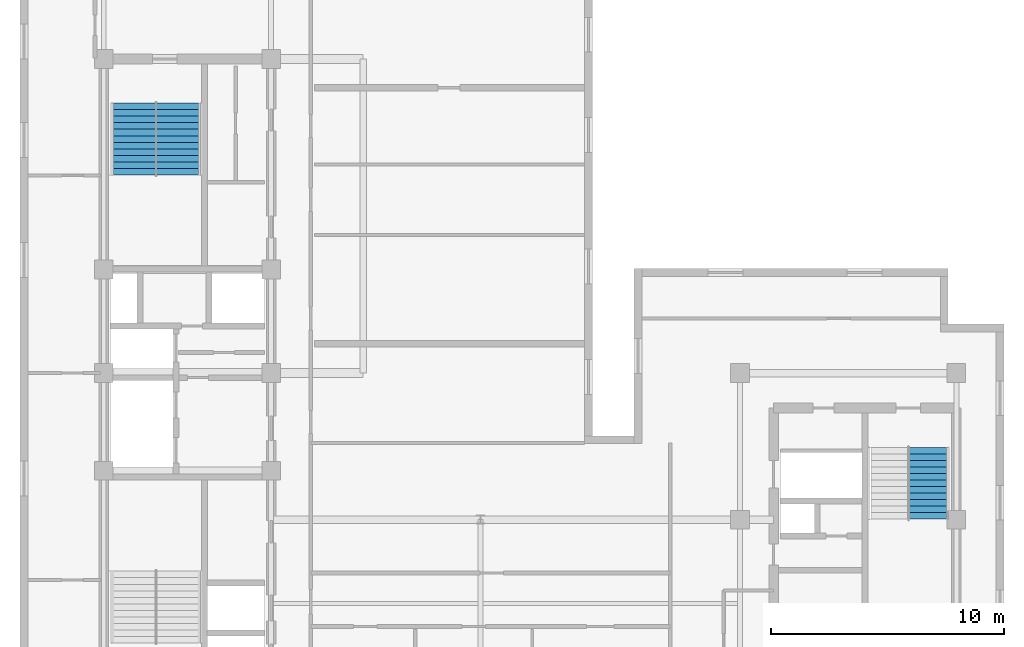
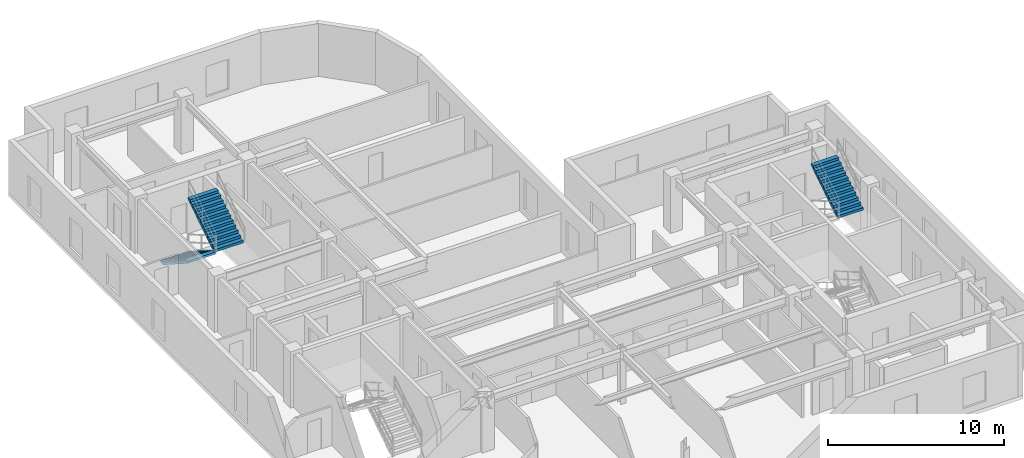
# One storey, part 7 of 10: 3 stair flights, 2 elements without a shape of their own.
"""IFC4 building model written with IfcOpenShell, lengths in metres."""

from ifc_helpers import new_model, entity, si_unit, converted_unit, direction, frame, origin_with_axes, place, context, subcontext, project, spatial, polyline, outline, extrude, material, type_object, element, aggregate, save


model = new_model("IFC4")

# Units and contexts
model_context = context("Model", 3, precision=1e-05, world=origin_with_axes(), true_north=direction((0.0, 1.0)))
body_context = subcontext(model_context, "Body", "Model", "MODEL_VIEW")
ifc_project = project(units=[si_unit("LENGTHUNIT", "METRE"), si_unit("AREAUNIT", "SQUARE_METRE"), si_unit("VOLUMEUNIT", "CUBIC_METRE"), converted_unit("PLANEANGLEUNIT", "DEGREE", entity("IfcPlaneAngleMeasure", 0.017453292519943295), si_unit("PLANEANGLEUNIT", "RADIAN"), dimensions=[0, 0, 0, 0, 0, 0, 0]), si_unit("MASSUNIT", "GRAM", prefix="KILO"), si_unit("THERMODYNAMICTEMPERATUREUNIT", "KELVIN")], contexts=[model_context])

# Site, building, storey
site_placement = place(None, origin_with_axes())
site = spatial("IfcSite", under=ifc_project, at=site_placement, CompositionType="ELEMENT")
building_placement = place(site_placement, origin_with_axes())
building = spatial("IfcBuilding", under=site, at=building_placement, Name="Varnlund Millrace Tower", CompositionType="ELEMENT")
storey_placement = place(building_placement, frame((0.0, 0.0, 276.3), z_axis=(0.0, 0.0, 1.0), x_axis=(1.0, 0.0, 0.0)))
storey = spatial("IfcBuildingStorey", under=building, at=storey_placement, Name="L68", CompositionType="ELEMENT", Elevation=276.3)

# Stair, stair flight
ifc_material_1 = material(Name="Concrete C50/60", Category="concrete")
stair_type_1 = type_object("IfcStairType", Name="Type-Stair-Dogleg-165-390", PredefinedType="HALF_TURN_STAIR", material=ifc_material_1)
stair_1_placement = place(storey_placement, origin_with_axes())
stair_1 = element("IfcStair", 1, at=stair_1_placement, inside=storey, type_object=stair_type_1, Name="Type-Stair-Dogleg-165-390", PredefinedType="HALF_TURN_STAIR")
ifc_material_2 = material(Name="Precast concrete C50/60", Category="concrete")
stair_flight_type_1 = type_object("IfcStairFlightType", Name="Type-Dogleg-Run-165-390", PredefinedType="STRAIGHT", material=ifc_material_2)
stair_flight_1_placement = place(storey_placement, frame((45.975, 18.02, 1.95), z_axis=(1.0, 0.0, 0.0), x_axis=(0.0, 1.0, 0.0)))
stair_flight_1 = element("IfcStairFlight", 2, at=stair_flight_1_placement, type_object=stair_flight_type_1, Name="ST-B2 flight 2", NumberOfRisers=11, NumberOfTreads=11, PredefinedType="STRAIGHT", RiserHeight=0.177273, TreadLength=0.28, context=body_context, shape_type="SweptSolid", body=[
    extrude(outline(polyline([(0.0, 0.0), (0.0, 0.177273), (0.28, 0.177273), (0.28, 0.354545), (0.56, 0.354545), (0.56, 0.531818), (0.84, 0.531818), (0.84, 0.709091), (1.12, 0.709091), (1.12, 0.886364), (1.4, 0.886364), (1.4, 1.063636), (1.68, 1.063636), (1.68, 1.240909), (1.96, 1.240909), (1.96, 1.418182), (2.24, 1.418182), (2.24, 1.595454), (2.52, 1.595454), (2.52, 1.772727), (2.8, 1.772727), (2.8, 1.95), (3.08, 1.95), (3.08, 1.8), (0.28, 0.0), (0.0, 0.0)])), origin_with_axes(), (0.0, 0.0, 1.0), 1.65),
])
aggregate(stair_1, [stair_flight_1])

# Stair, stair flights
stair_type_2 = type_object("IfcStairType", Name="Type-Stair-Dogleg-185-390", PredefinedType="HALF_TURN_STAIR", material=ifc_material_1)
stair_2_placement = place(storey_placement, origin_with_axes())
stair_2 = element("IfcStair", 3, at=stair_2_placement, inside=storey, type_object=stair_type_2, Name="Type-Stair-Dogleg-185-390", PredefinedType="HALF_TURN_STAIR")
stair_flight_type_2 = type_object("IfcStairFlightType", Name="Type-Dogleg-Run-185-390", PredefinedType="STRAIGHT", material=ifc_material_2)
stair_flight_2_placement = place(storey_placement, frame((13.675, 35.9, 0.0), z_axis=(-1.0, 0.0, 0.0), x_axis=(0.0, -1.0, 0.0)))
stair_flight_2 = element("IfcStairFlight", 4, at=stair_flight_2_placement, type_object=stair_flight_type_2, Name="ST-A2 flight 1", NumberOfRisers=11, NumberOfTreads=11, PredefinedType="STRAIGHT", RiserHeight=0.177273, TreadLength=0.28, context=body_context, shape_type="SweptSolid", body=[
    extrude(outline(polyline([(0.0, 0.0), (0.0, 0.177273), (0.28, 0.177273), (0.28, 0.354545), (0.56, 0.354545), (0.56, 0.531818), (0.84, 0.531818), (0.84, 0.709091), (1.12, 0.709091), (1.12, 0.886364), (1.4, 0.886364), (1.4, 1.063636), (1.68, 1.063636), (1.68, 1.240909), (1.96, 1.240909), (1.96, 1.418182), (2.24, 1.418182), (2.24, 1.595454), (2.52, 1.595454), (2.52, 1.772727), (2.8, 1.772727), (2.8, 1.95), (3.08, 1.95), (3.08, 1.8), (0.28, 0.0), (0.0, 0.0)])), origin_with_axes(), (0.0, 0.0, 1.0), 1.85),
])
stair_flight_3_placement = place(storey_placement, frame((13.625, 32.82, 1.95), z_axis=(1.0, 0.0, 0.0), x_axis=(0.0, 1.0, 0.0)))
stair_flight_3 = element("IfcStairFlight", 5, at=stair_flight_3_placement, type_object=stair_flight_type_2, Name="ST-A2 flight 2", NumberOfRisers=11, NumberOfTreads=11, PredefinedType="STRAIGHT", RiserHeight=0.177273, TreadLength=0.28, context=body_context, shape_type="SweptSolid", body=[
    extrude(outline(polyline([(0.0, 0.0), (0.0, 0.177273), (0.28, 0.177273), (0.28, 0.354545), (0.56, 0.354545), (0.56, 0.531818), (0.84, 0.531818), (0.84, 0.709091), (1.12, 0.709091), (1.12, 0.886364), (1.4, 0.886364), (1.4, 1.063636), (1.68, 1.063636), (1.68, 1.240909), (1.96, 1.240909), (1.96, 1.418182), (2.24, 1.418182), (2.24, 1.595454), (2.52, 1.595454), (2.52, 1.772727), (2.8, 1.772727), (2.8, 1.95), (3.08, 1.95), (3.08, 1.8), (0.28, 0.0), (0.0, 0.0)])), origin_with_axes(), (0.0, 0.0, 1.0), 1.85),
])
aggregate(stair_2, [stair_flight_2, stair_flight_3])

save(model, "model.ifc")
